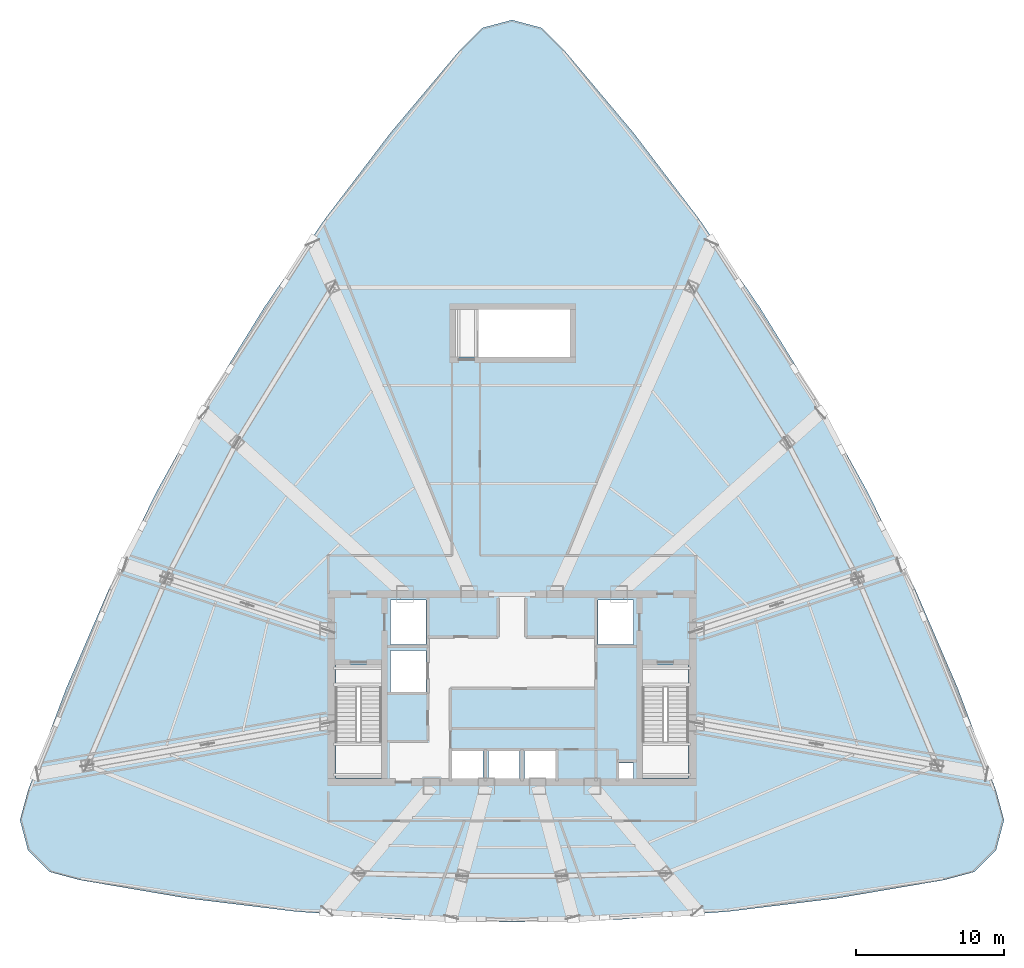
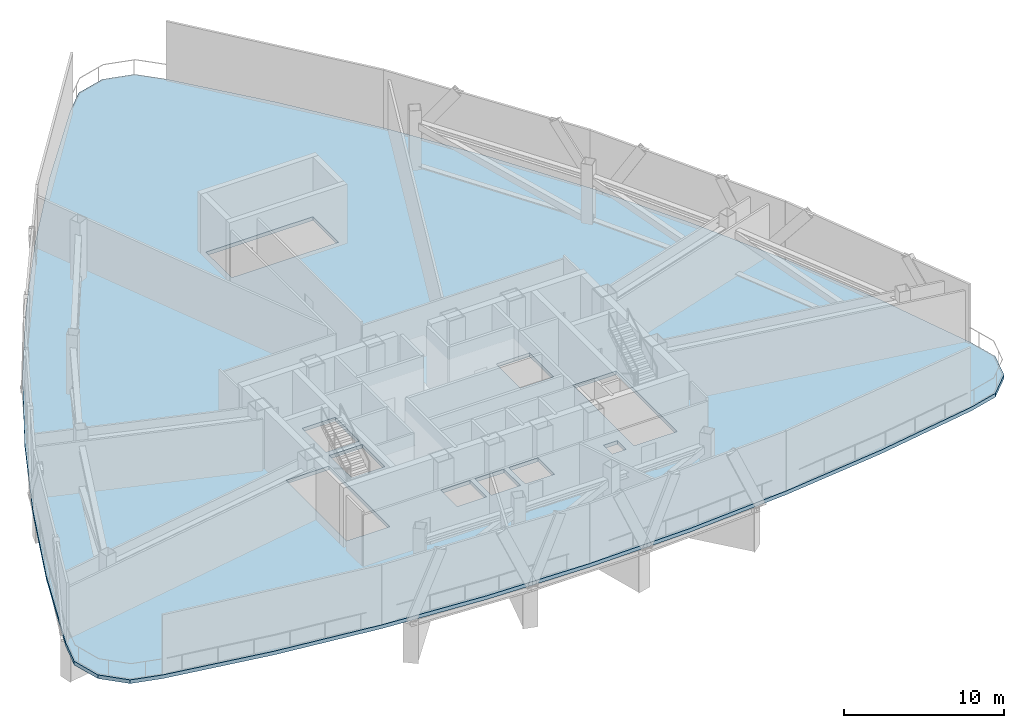
# One storey, part 6 of 13: 1 slab.
"""IFC4 building model written with IfcOpenShell, lengths in metres."""

from ifc_helpers import new_model, si_unit, direction, frame, origin, place, context, subcontext, project, spatial, polyline, outline, extrude, material, layer, layer_set, type_object, element, save


model = new_model("IFC4")

# Units and contexts
model_context = context("Model", 3, precision=1e-05, world=origin(), true_north=direction((0.0, 1.0)))
body_context = subcontext(model_context, "Body", "Model", "MODEL_VIEW")
ifc_project = project(units=[si_unit("LENGTHUNIT", "METRE"), si_unit("AREAUNIT", "SQUARE_METRE"), si_unit("VOLUMEUNIT", "CUBIC_METRE"), si_unit("PLANEANGLEUNIT", "RADIAN"), si_unit("MASSUNIT", "GRAM", prefix="KILO"), si_unit("THERMODYNAMICTEMPERATUREUNIT", "KELVIN"), si_unit("POWERUNIT", "WATT")], contexts=[model_context])

# Site, building, storey
site_placement = place(None, origin())
site = spatial("IfcSite", under=ifc_project, at=site_placement, CompositionType="ELEMENT")
building_placement = place(site_placement, origin())
building = spatial("IfcBuilding", under=site, at=building_placement, Name="Yunzhuo Pagoda Commons", CompositionType="ELEMENT")
storey_placement = place(building_placement, frame((0.0, 0.0, 272.760009765625)))
storey = spatial("IfcBuildingStorey", under=building, at=storey_placement, Name="L68", CompositionType="ELEMENT", Elevation=272.760009765625)

# Slab
ifc_material = material(Name="Concrete C40", Category="concrete")
ifc_layer = layer(ifc_material, 0.280029296875)
ifc_layer_set = layer_set([ifc_layer], Name="Concrete C40")
slab_type = type_object("IfcSlabType", Name="SL-POD Podium & Refuge Floor Slab 280", PredefinedType="FLOOR", material=ifc_layer_set)
slab_placement = place(storey_placement, frame((0.0, 0.0, -0.280029296875)))
element("IfcSlab", 1, at=slab_placement, inside=storey, type_object=slab_type, Name="L68 structural floor slab", PredefinedType="FLOOR", context=body_context, shape_type="SweptSolid", body=[
    extrude(outline(polyline([(17.936279296875, 33.847900390625), (20.814697265625, 40.5380859375), (23.99951171875, 47.049072265625), (27.490478515625, 53.381591796875), (31.287841796875, 59.534912109375), (35.3916015625, 65.509765625), (39.801513671875, 71.3056640625), (44.517822265625, 76.9228515625), (45.9921875, 78.38671875), (48.0, 78.922119140625), (50.0078125, 78.38671875), (51.482177734375, 76.9228515625), (56.198486328125, 71.3056640625), (60.6083984375, 65.509765625), (64.712158203125, 59.534912109375), (68.509521484375, 53.381591796875), (72.00048828125, 47.049072265625), (75.185302734375, 40.5380859375), (78.063720703125, 33.847900390625), (80.635986328125, 26.979248046875), (81.185791015625, 24.9609375), (80.650390625, 22.93896484375), (79.174072265625, 21.457275390625), (77.15380859375, 20.91455078125), (69.865478515625, 19.67333984375), (62.576904296875, 18.78662109375), (55.288330078125, 18.254638671875), (48.0, 18.077392578125), (40.711669921875, 18.254638671875), (33.423095703125, 18.78662109375), (26.134765625, 19.67333984375), (18.84619140625, 20.91455078125), (16.825927734375, 21.457275390625), (15.349609375, 22.93896484375), (14.814208984375, 24.9609375), (15.364013671875, 26.979248046875), (17.936279296875, 33.847900390625)]), holes=[polyline([(56.179931640625, 28.800048828125), (55.179931640625, 28.800048828125), (55.179931640625, 27.699951171875), (56.179931640625, 27.699951171875), (56.179931640625, 28.800048828125)]), polyline([(46.050048828125, 29.64990234375), (43.949951171875, 29.64990234375), (43.949951171875, 27.60009765625), (46.050048828125, 27.60009765625), (46.050048828125, 29.64990234375)]), polyline([(48.5, 29.64990234375), (46.39990234375, 29.64990234375), (46.39990234375, 27.60009765625), (48.5, 27.60009765625), (48.5, 29.64990234375)]), polyline([(50.949951171875, 27.60009765625), (50.949951171875, 29.64990234375), (48.85009765625, 29.64990234375), (48.85009765625, 27.60009765625), (50.949951171875, 27.60009765625)]), polyline([(36.10009765625, 27.800048828125), (39.199951171875, 27.800048828125), (39.199951171875, 35.39990234375), (36.10009765625, 35.39990234375), (36.10009765625, 27.800048828125)]), polyline([(59.89990234375, 27.800048828125), (59.89990234375, 35.39990234375), (56.800048828125, 35.39990234375), (56.800048828125, 27.800048828125), (59.89990234375, 27.800048828125)]), polyline([(42.199951171875, 36.39990234375), (39.800048828125, 36.39990234375), (39.800048828125, 33.60009765625), (42.199951171875, 33.60009765625), (42.199951171875, 36.39990234375)]), polyline([(42.199951171875, 39.800048828125), (39.800048828125, 39.800048828125), (39.800048828125, 36.800048828125), (42.199951171875, 36.800048828125), (42.199951171875, 39.800048828125)]), polyline([(56.199951171875, 36.800048828125), (56.199951171875, 39.800048828125), (53.800048828125, 39.800048828125), (53.800048828125, 36.800048828125), (56.199951171875, 36.800048828125)]), polyline([(51.89990234375, 56.199951171875), (51.89990234375, 59.39990234375), (44.199951171875, 59.39990234375), (44.199951171875, 56.199951171875), (51.89990234375, 56.199951171875)])]), origin(), (0.0, 0.0, 1.0), 0.280029296875),
])

save(model, "model.ifc")
